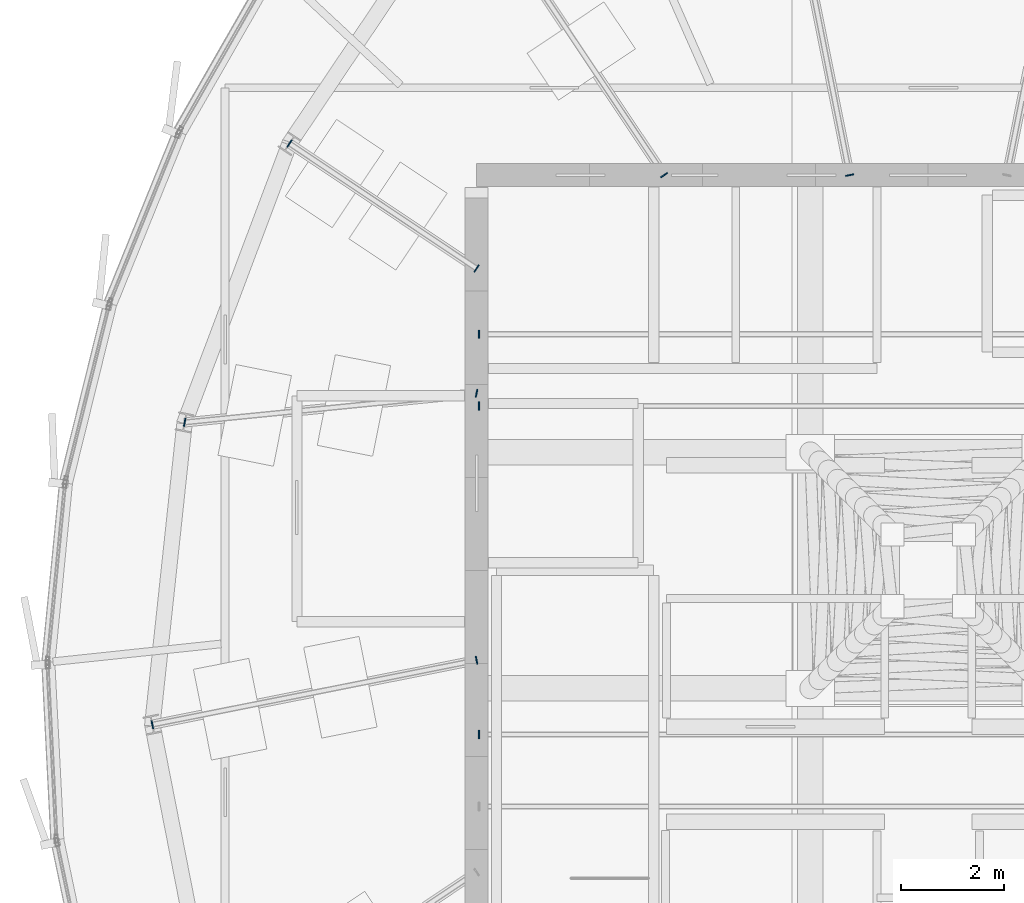
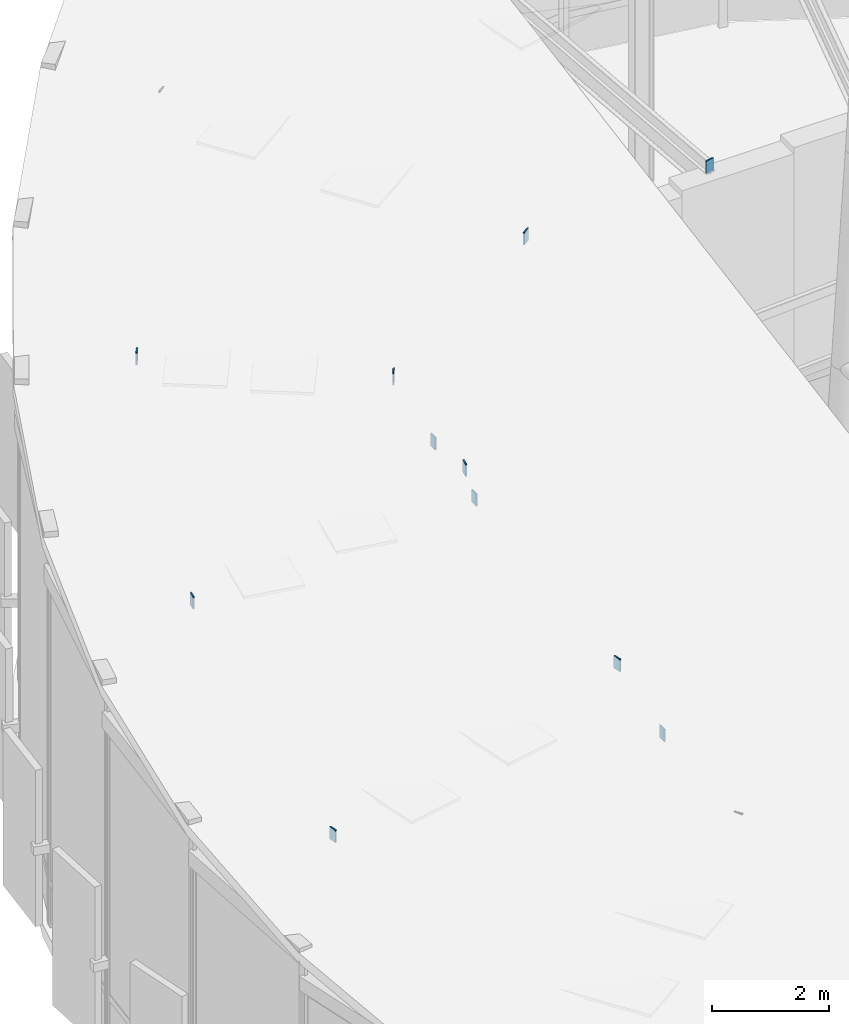
# One storey, part 28 of 36: 11 plates.
"""IFC4 building model written with IfcOpenShell, lengths in metres."""

from ifc_helpers import new_model, si_unit, direction, frame, origin, origin_2d, place, context, subcontext, project, spatial, rectangle, extrude, source, transform, mapped, material, layer, layer_set, type_object, element, save


model = new_model("IFC4")

# Units and contexts
model_context = context("Model", 3, precision=1e-05, world=origin(), true_north=direction((0.0, 1.0)))
body_context = subcontext(model_context, "Body", "Model", "MODEL_VIEW")
ifc_project = project(units=[si_unit("LENGTHUNIT", "METRE"), si_unit("AREAUNIT", "SQUARE_METRE"), si_unit("VOLUMEUNIT", "CUBIC_METRE"), si_unit("PLANEANGLEUNIT", "RADIAN"), si_unit("MASSUNIT", "GRAM", prefix="KILO"), si_unit("THERMODYNAMICTEMPERATUREUNIT", "KELVIN")], contexts=[model_context])

# Site, building, storey
site_placement = place(None, origin())
site = spatial("IfcSite", under=ifc_project, at=site_placement, CompositionType="ELEMENT")
building_placement = place(site_placement, origin())
building = spatial("IfcBuilding", under=site, at=building_placement, Name="Kethvar Cultural Tower", CompositionType="ELEMENT")
storey_placement = place(building_placement, frame((0.0, 0.0, 324.300048828125)))
storey = spatial("IfcBuildingStorey", under=building, at=storey_placement, Name="L86", CompositionType="ELEMENT", Elevation=324.300048828125)

# Plates
ifc_material = material(Name="Steel S355J2", Category="steel")
ifc_layer_1 = layer(ifc_material, 0.02490234375, Name="Steel S355J2", Category="steel")
ifc_layer_set_1 = layer_set([ifc_layer_1], Name="Steel S355J2 (25 mm)")
plate_type_1 = type_object("IfcPlateType", Name="PL-ENDCAP-PUR", PredefinedType="SHEET", material=ifc_layer_set_1)
shared_shape_1 = source(origin(), body_context, "Body", "SweptSolid", [
    extrude(rectangle(XDim=0.02490234375, YDim=0.159912109375, at=origin_2d()), origin(), (0.0, 0.0, 1.0), 0.260009765625),
])
for number, where, z_axis, x_axis, name in (
    (1, (38.050048828125, 24.60009765625, 6.39697265625), (0.0, 0.0, 1.0), (1.0, 0.0, 0.0), "Crown Purlin End Cap PR-08-W"),
    (2, (38.050048828125, 31.0, 7.41552734375), (0.0, 0.0, 1.0), (1.0, 0.0, 0.0), "Crown Purlin End Cap PR-09-W"),
    (3, (38.050048828125, 32.39990234375, 7.73486328125), (0.0, 0.0, 1.0), (1.0, 0.0, 0.0), "Crown Purlin End Cap PR-10-W"),
):
    element("IfcPlate", number, at=place(storey_placement, frame(where, z_axis=z_axis, x_axis=x_axis)), inside=storey, type_object=plate_type_1, Name=name, PredefinedType="SHEET", context=body_context, shape_type="MappedRepresentation", body=[
        mapped(shared_shape_1, transform((0.0, 0.0, 0.0), scale=1.0)),
    ])
ifc_layer_2 = layer(ifc_material, 0.02490234375, Name="Steel S355J2", Category="steel")
ifc_layer_set_2 = layer_set([ifc_layer_2], Name="Steel S355J2 (25 mm)")
plate_type_2 = type_object("IfcPlateType", Name="PL-EXTCAP-PUR", PredefinedType="SHEET", material=ifc_layer_set_2)
shared_shape_2 = source(origin(), body_context, "Body", "SweptSolid", [
    extrude(rectangle(XDim=0.02490234375, YDim=0.159912109375, at=origin_2d()), origin(), (0.0, 0.0, 1.0), 0.260009765625),
])
for number, where, z_axis, x_axis, name in (
    (4, (45.268310546875, 35.5, 9.0673828125), (0.0, 0.0, 1.0), (-0.195090322016, 0.980785280403, 0.0), "Crown Glazing Bar End Cap GB-05-I"),
    (5, (41.655029296875, 35.5, 8.8603515625), (0.0, 0.0, 1.0), (-0.55557023302, 0.831469612303, 0.0), "Crown Glazing Bar End Cap GB-06-I"),
    (6, (38.0, 33.679931640625, 8.33154296875), (0.0, 0.0, 1.0), (-0.831469612303, 0.55557023302, 0.0), "Crown Glazing Bar End Cap GB-07-I"),
    (7, (34.35595703125, 36.114990234375, 8.5517578125), (0.0, 0.0, 1.0), (-0.831469612303, 0.55557023302, 0.0), "Crown Glazing Bar End Cap GB-07-O"),
    (8, (38.0, 31.25, 7.90380859375), (0.0, 0.0, 1.0), (-0.980785280403, 0.195090322016, 0.0), "Crown Glazing Bar End Cap GB-08-I"),
    (9, (32.3125, 30.681884765625, 7.478515625), (0.0, 0.0, 1.0), (-0.980785280403, 0.195090322016, 0.0), "Crown Glazing Bar End Cap GB-08-O"),
    (10, (38.0, 26.049560546875, 6.98876953125), (0.0, 0.0, 1.0), (-0.980785280403, -0.195090322016, 0.0), "Crown Glazing Bar End Cap GB-09-I"),
    (11, (31.68310546875, 24.79296875, 6.40673828125), (0.0, 0.0, 1.0), (-0.980785280403, -0.195090322016, 0.0), "Crown Glazing Bar End Cap GB-09-O"),
):
    element("IfcPlate", number, at=place(storey_placement, frame(where, z_axis=z_axis, x_axis=x_axis)), inside=storey, type_object=plate_type_2, Name=name, PredefinedType="SHEET", context=body_context, shape_type="MappedRepresentation", body=[
        mapped(shared_shape_2, transform((0.0, 0.0, 0.0), scale=1.0)),
    ])

save(model, "model.ifc")
